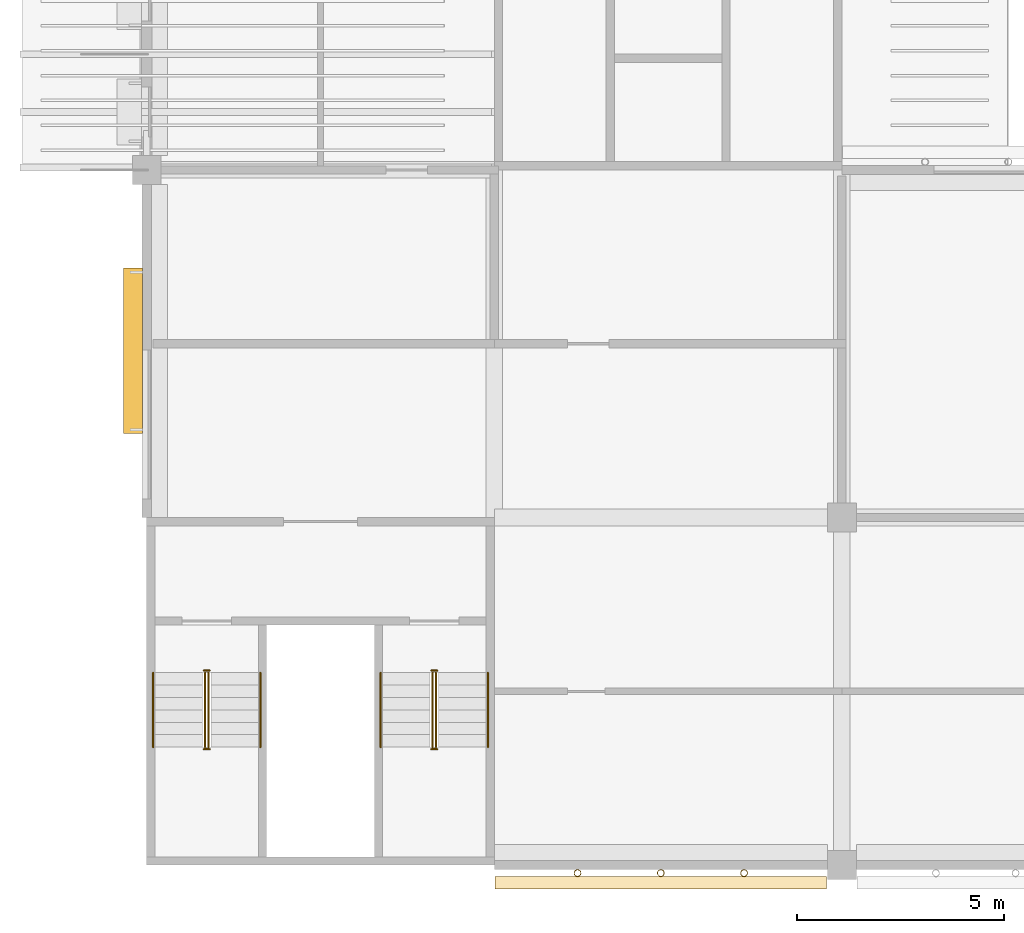
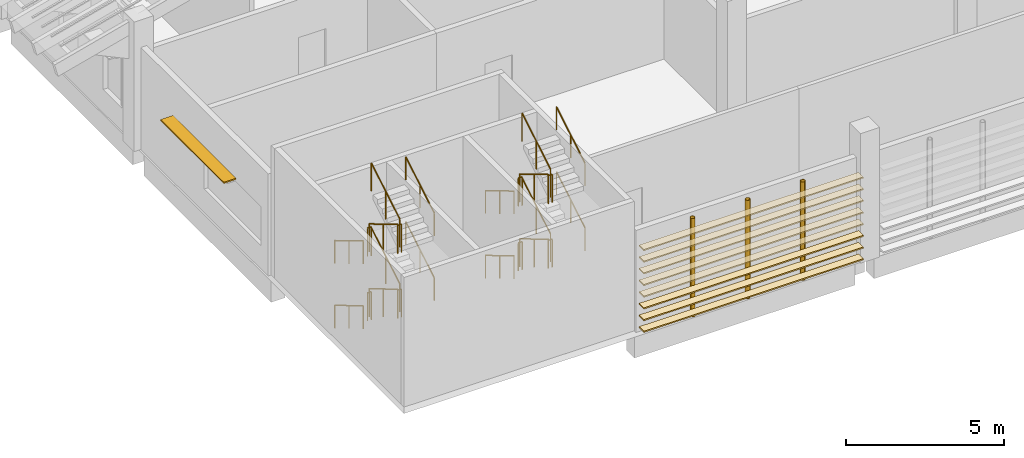
# One storey, part 44 of 82: 24 railings, 8 coverings, 4 shading devices.
"""IFC4 building model written with IfcOpenShell, lengths in metres."""

from ifc_helpers import new_model, si_unit, direction, frame, origin, origin_2d, place, context, subcontext, project, spatial, rectangle, circle, hollow_circle, extrude, material, material_profile, profile_set, type_object, element, save


model = new_model("IFC4")

# Units and contexts
model_context = context("Model", 3, precision=1e-05, world=origin(), true_north=direction((0.0, 1.0)))
body_context = subcontext(model_context, "Body", "Model", "MODEL_VIEW")
ifc_project = project(units=[si_unit("LENGTHUNIT", "METRE"), si_unit("AREAUNIT", "SQUARE_METRE"), si_unit("VOLUMEUNIT", "CUBIC_METRE"), si_unit("PLANEANGLEUNIT", "RADIAN"), si_unit("MASSUNIT", "GRAM", prefix="KILO")], contexts=[model_context])

# Site, building, storey
site_placement = place(None, origin())
site = spatial("IfcSite", under=ifc_project, at=site_placement, CompositionType="ELEMENT")
building_placement = place(site_placement, origin())
building = spatial("IfcBuilding", under=site, at=building_placement, Name="Almond Square Museum", CompositionType="ELEMENT")
storey_placement = place(building_placement, frame((0.0, 0.0, 20.0)))
storey = spatial("IfcBuildingStorey", under=building, at=storey_placement, Name="L03", CompositionType="ELEMENT", Elevation=20.0)

# Shading devices
ifc_material_1 = material(Name="Structural steel S355", Category="steel")
ifc_material_profile_1 = material_profile(ifc_material_1, hollow_circle(Radius=0.084228515625, WallThickness=0.008056640625, at=origin_2d()))
ifc_profile_set_1 = profile_set([ifc_material_profile_1], Name="Structural steel S355")
shading_device_type_1 = type_object("IfcShadingDeviceType", Name="Louvre post CHS 168.3 x 8", PredefinedType="USERDEFINED", material=ifc_profile_set_1)
for number, where, z_axis, x_axis, name in (
    (1, (16.41259765625, -0.194091796875, 0.0), (0.0, 0.0, 1.0), (1.0, 0.0, 0.0), "Louvre screen post"),
    (2, (18.425048828125, -0.194091796875, 0.0), (0.0, 0.0, 1.0), (1.0, 0.0, 0.0), "Louvre screen post"),
    (3, (20.4375, -0.194091796875, 0.0), (0.0, 0.0, 1.0), (1.0, 0.0, 0.0), "Louvre screen post"),
):
    element("IfcShadingDevice", number, at=place(storey_placement, frame(where, z_axis=z_axis, x_axis=x_axis)), inside=storey, type_object=shading_device_type_1, Name=name, ObjectType="POST", PredefinedType="USERDEFINED", context=body_context, shape_type="SweptSolid", body=[
        extrude(hollow_circle(Radius=0.084228515625, WallThickness=0.008056640625, at=origin_2d()), origin(), (0.0, 0.0, 1.0), 3.800048828125),
    ])

# Coverings
ifc_material_2 = material(Name="Cedar timber louvre board", Category="wood")
ifc_material_profile_2 = material_profile(ifc_material_2, rectangle(XDim=0.300048828125, YDim=0.050048828125, at=origin_2d()))
ifc_profile_set_2 = profile_set([ifc_material_profile_2], Name="Cedar timber louvre board")
covering_type = type_object("IfcCoveringType", Name="Louvre screen board 300 x 50", PredefinedType="CLADDING", material=ifc_profile_set_2)
for number, where, z_axis, x_axis, name in (
    (4, (14.419921875, -0.42431640625, 0.300048828125), (1.0, 0.0, 0.0), (0.0, 1.0, 0.0), "Louvre screen board"),
    (5, (14.419921875, -0.42431640625, 0.75), (1.0, 0.0, 0.0), (0.0, 1.0, 0.0), "Louvre screen board"),
    (6, (14.419921875, -0.42431640625, 1.199951171875), (1.0, 0.0, 0.0), (0.0, 1.0, 0.0), "Louvre screen board"),
    (7, (14.419921875, -0.42431640625, 1.64990234375), (1.0, 0.0, 0.0), (0.0, 1.0, 0.0), "Louvre screen board"),
    (8, (14.419921875, -0.42431640625, 2.10009765625), (1.0, 0.0, 0.0), (0.0, 1.0, 0.0), "Louvre screen board"),
    (9, (14.419921875, -0.42431640625, 2.550048828125), (1.0, 0.0, 0.0), (0.0, 1.0, 0.0), "Louvre screen board"),
    (10, (14.419921875, -0.42431640625, 3.0), (1.0, 0.0, 0.0), (0.0, 1.0, 0.0), "Louvre screen board"),
    (11, (14.419921875, -0.42431640625, 3.449951171875), (1.0, 0.0, 0.0), (0.0, 1.0, 0.0), "Louvre screen board"),
):
    element("IfcCovering", number, at=place(storey_placement, frame(where, z_axis=z_axis, x_axis=x_axis)), inside=storey, type_object=covering_type, Name=name, PredefinedType="CLADDING", context=body_context, shape_type="SweptSolid", body=[
        extrude(rectangle(XDim=0.300048828125, YDim=0.050048828125, at=origin_2d()), origin(), (0.0, 0.0, 1.0), 8.010009765625),
    ])

# Railings
ifc_material_3 = material(Name="Stainless steel and laminated glass", Category="steel")
railing_type_1 = type_object("IfcRailingType", Name="Stair guard 1100 steel and glass", PredefinedType="GUARDRAIL", material=ifc_material_3)
railing_1_placement = place(storey_placement, frame((7.409912109375, 4.64990234375, 0.178466796875)))
element("IfcRailing", 12, at=railing_1_placement, inside=storey, type_object=railing_type_1, Name="L03 ST-27 stair guard 1", PredefinedType="GUARDRAIL", context=body_context, shape_type="SweptSolid", body=[
    extrude(circle(Radius=0.02392578125, at=origin_2d()), frame((0.0, 0.0, 1.076171875), z_axis=(0.0, -0.85924653193, 0.511561723907), x_axis=(1.0, 0.0, 0.0)), (0.0, 0.0, 1.0), 2.0947265625),
    extrude(circle(Radius=0.02099609375, at=origin_2d()), origin(), (0.0, 0.0, 1.0), 1.052001953125),
    extrude(circle(Radius=0.02099609375, at=origin_2d()), frame((0.0, -0.89990234375, 0.53564453125)), (0.0, 0.0, 1.0), 1.052001953125),
    extrude(circle(Radius=0.02099609375, at=origin_2d()), frame((0.0, -1.7998046875, 1.071533203125)), (0.0, 0.0, 1.0), 1.052001953125),
])
railing_2_placement = place(storey_placement, frame((7.3798828125, 2.800048828125, 1.25)))
element("IfcRailing", 13, at=railing_2_placement, inside=storey, type_object=railing_type_1, Name="L03 ST-27 stair guard 2", PredefinedType="GUARDRAIL", context=body_context, shape_type="SweptSolid", body=[
    extrude(circle(Radius=0.02392578125, at=origin_2d()), frame((0.0, 0.0, 1.076171875), z_axis=(1.0, 0.0, 0.0), x_axis=(0.0, 1.0, 0.0)), (0.0, 0.0, 1.0), 0.14013671875),
    extrude(circle(Radius=0.02099609375, at=origin_2d()), origin(), (0.0, 0.0, 1.0), 1.052001953125),
    extrude(circle(Radius=0.02099609375, at=origin_2d()), frame((0.14013671875, 0.0, 0.0)), (0.0, 0.0, 1.0), 1.052001953125),
])
railing_3_placement = place(storey_placement, frame((7.489990234375, 2.85009765625, 1.428466796875)))
element("IfcRailing", 14, at=railing_3_placement, inside=storey, type_object=railing_type_1, Name="L03 ST-27 stair guard 3", PredefinedType="GUARDRAIL", context=body_context, shape_type="SweptSolid", body=[
    extrude(circle(Radius=0.02392578125, at=origin_2d()), frame((0.0, 0.0, 1.076171875), z_axis=(0.0, 0.85924653193, 0.511561723907), x_axis=(-1.0, 0.0, 0.0)), (0.0, 0.0, 1.0), 2.0947265625),
    extrude(circle(Radius=0.02099609375, at=origin_2d()), origin(), (0.0, 0.0, 1.0), 1.052001953125),
    extrude(circle(Radius=0.02099609375, at=origin_2d()), frame((0.0, 0.89990234375, 0.53564453125)), (0.0, 0.0, 1.0), 1.052001953125),
    extrude(circle(Radius=0.02099609375, at=origin_2d()), frame((0.0, 1.7998046875, 1.071533203125)), (0.0, 0.0, 1.0), 1.052001953125),
])
railing_4_placement = place(storey_placement, frame((7.3798828125, 4.699951171875, 2.5)))
element("IfcRailing", 15, at=railing_4_placement, inside=storey, type_object=railing_type_1, Name="L03 ST-27 stair guard 4", PredefinedType="GUARDRAIL", context=body_context, shape_type="SweptSolid", body=[
    extrude(circle(Radius=0.02392578125, at=origin_2d()), frame((0.0, 0.0, 1.076171875), z_axis=(1.0, 0.0, 0.0), x_axis=(0.0, 1.0, 0.0)), (0.0, 0.0, 1.0), 0.14013671875),
    extrude(circle(Radius=0.02099609375, at=origin_2d()), origin(), (0.0, 0.0, 1.0), 1.052001953125),
    extrude(circle(Radius=0.02099609375, at=origin_2d()), frame((0.14013671875, 0.0, 0.0)), (0.0, 0.0, 1.0), 1.052001953125),
])
railing_5_placement = place(storey_placement, frame((7.409912109375, 4.64990234375, 2.678466796875)))
element("IfcRailing", 16, at=railing_5_placement, inside=storey, type_object=railing_type_1, Name="L03 ST-27 stair guard 5", PredefinedType="GUARDRAIL", context=body_context, shape_type="SweptSolid", body=[
    extrude(circle(Radius=0.02392578125, at=origin_2d()), frame((0.0, 0.0, 1.076171875), z_axis=(0.0, -0.85924653193, 0.511561723907), x_axis=(1.0, 0.0, 0.0)), (0.0, 0.0, 1.0), 2.0947265625),
    extrude(circle(Radius=0.02099609375, at=origin_2d()), origin(), (0.0, 0.0, 1.0), 1.052001953125),
    extrude(circle(Radius=0.02099609375, at=origin_2d()), frame((0.0, -0.89990234375, 0.53564453125)), (0.0, 0.0, 1.0), 1.052001953125),
    extrude(circle(Radius=0.02099609375, at=origin_2d()), frame((0.0, -1.7998046875, 1.071533203125)), (0.0, 0.0, 1.0), 1.052001953125),
])
railing_6_placement = place(storey_placement, frame((7.3798828125, 2.800048828125, 3.75)))
element("IfcRailing", 17, at=railing_6_placement, inside=storey, type_object=railing_type_1, Name="L03 ST-27 stair guard 6", PredefinedType="GUARDRAIL", context=body_context, shape_type="SweptSolid", body=[
    extrude(circle(Radius=0.02392578125, at=origin_2d()), frame((0.0, 0.0, 1.076171875), z_axis=(1.0, 0.0, 0.0), x_axis=(0.0, 1.0, 0.0)), (0.0, 0.0, 1.0), 0.14013671875),
    extrude(circle(Radius=0.02099609375, at=origin_2d()), origin(), (0.0, 0.0, 1.0), 1.052001953125),
    extrude(circle(Radius=0.02099609375, at=origin_2d()), frame((0.14013671875, 0.0, 0.0)), (0.0, 0.0, 1.0), 1.052001953125),
])
railing_7_placement = place(storey_placement, frame((7.489990234375, 2.85009765625, 3.928466796875)))
element("IfcRailing", 18, at=railing_7_placement, inside=storey, type_object=railing_type_1, Name="L03 ST-27 stair guard 7", PredefinedType="GUARDRAIL", context=body_context, shape_type="SweptSolid", body=[
    extrude(circle(Radius=0.02392578125, at=origin_2d()), frame((0.0, 0.0, 1.076171875), z_axis=(0.0, 0.85924653193, 0.511561723907), x_axis=(-1.0, 0.0, 0.0)), (0.0, 0.0, 1.0), 2.0947265625),
    extrude(circle(Radius=0.02099609375, at=origin_2d()), origin(), (0.0, 0.0, 1.0), 1.052001953125),
    extrude(circle(Radius=0.02099609375, at=origin_2d()), frame((0.0, 0.89990234375, 0.53564453125)), (0.0, 0.0, 1.0), 1.052001953125),
    extrude(circle(Radius=0.02099609375, at=origin_2d()), frame((0.0, 1.7998046875, 1.071533203125)), (0.0, 0.0, 1.0), 1.052001953125),
])
railing_8_placement = place(storey_placement, frame((7.3798828125, 4.699951171875, 0.0)))
element("IfcRailing", 19, at=railing_8_placement, inside=storey, type_object=railing_type_1, Name="L03 ST-27 stair guard 8", PredefinedType="GUARDRAIL", context=body_context, shape_type="SweptSolid", body=[
    extrude(circle(Radius=0.02392578125, at=origin_2d()), frame((0.0, 0.0, 1.076171875), z_axis=(1.0, 0.0, 0.0), x_axis=(0.0, 1.0, 0.0)), (0.0, 0.0, 1.0), 0.14013671875),
    extrude(circle(Radius=0.02099609375, at=origin_2d()), origin(), (0.0, 0.0, 1.0), 1.052001953125),
    extrude(circle(Radius=0.02099609375, at=origin_2d()), frame((0.14013671875, 0.0, 0.0)), (0.0, 0.0, 1.0), 1.052001953125),
])
railing_9_placement = place(storey_placement, frame((12.909912109375, 4.64990234375, 0.178466796875)))
element("IfcRailing", 20, at=railing_9_placement, inside=storey, type_object=railing_type_1, Name="L03 ST-28 stair guard 1", PredefinedType="GUARDRAIL", context=body_context, shape_type="SweptSolid", body=[
    extrude(circle(Radius=0.02392578125, at=origin_2d()), frame((0.0, 0.0, 1.076171875), z_axis=(0.0, -0.85924653193, 0.511561723907), x_axis=(1.0, 0.0, 0.0)), (0.0, 0.0, 1.0), 2.0947265625),
    extrude(circle(Radius=0.02099609375, at=origin_2d()), origin(), (0.0, 0.0, 1.0), 1.052001953125),
    extrude(circle(Radius=0.02099609375, at=origin_2d()), frame((0.0, -0.89990234375, 0.53564453125)), (0.0, 0.0, 1.0), 1.052001953125),
    extrude(circle(Radius=0.02099609375, at=origin_2d()), frame((0.0, -1.7998046875, 1.071533203125)), (0.0, 0.0, 1.0), 1.052001953125),
])
railing_10_placement = place(storey_placement, frame((12.8798828125, 2.800048828125, 1.25)))
element("IfcRailing", 21, at=railing_10_placement, inside=storey, type_object=railing_type_1, Name="L03 ST-28 stair guard 2", PredefinedType="GUARDRAIL", context=body_context, shape_type="SweptSolid", body=[
    extrude(circle(Radius=0.02392578125, at=origin_2d()), frame((0.0, 0.0, 1.076171875), z_axis=(1.0, 0.0, 0.0), x_axis=(0.0, 1.0, 0.0)), (0.0, 0.0, 1.0), 0.14013671875),
    extrude(circle(Radius=0.02099609375, at=origin_2d()), origin(), (0.0, 0.0, 1.0), 1.052001953125),
    extrude(circle(Radius=0.02099609375, at=origin_2d()), frame((0.14013671875, 0.0, 0.0)), (0.0, 0.0, 1.0), 1.052001953125),
])
railing_11_placement = place(storey_placement, frame((12.989990234375, 2.85009765625, 1.428466796875)))
element("IfcRailing", 22, at=railing_11_placement, inside=storey, type_object=railing_type_1, Name="L03 ST-28 stair guard 3", PredefinedType="GUARDRAIL", context=body_context, shape_type="SweptSolid", body=[
    extrude(circle(Radius=0.02392578125, at=origin_2d()), frame((0.0, 0.0, 1.076171875), z_axis=(0.0, 0.85924653193, 0.511561723907), x_axis=(-1.0, 0.0, 0.0)), (0.0, 0.0, 1.0), 2.0947265625),
    extrude(circle(Radius=0.02099609375, at=origin_2d()), origin(), (0.0, 0.0, 1.0), 1.052001953125),
    extrude(circle(Radius=0.02099609375, at=origin_2d()), frame((0.0, 0.89990234375, 0.53564453125)), (0.0, 0.0, 1.0), 1.052001953125),
    extrude(circle(Radius=0.02099609375, at=origin_2d()), frame((0.0, 1.7998046875, 1.071533203125)), (0.0, 0.0, 1.0), 1.052001953125),
])
railing_12_placement = place(storey_placement, frame((12.8798828125, 4.699951171875, 2.5)))
element("IfcRailing", 23, at=railing_12_placement, inside=storey, type_object=railing_type_1, Name="L03 ST-28 stair guard 4", PredefinedType="GUARDRAIL", context=body_context, shape_type="SweptSolid", body=[
    extrude(circle(Radius=0.02392578125, at=origin_2d()), frame((0.0, 0.0, 1.076171875), z_axis=(1.0, 0.0, 0.0), x_axis=(0.0, 1.0, 0.0)), (0.0, 0.0, 1.0), 0.14013671875),
    extrude(circle(Radius=0.02099609375, at=origin_2d()), origin(), (0.0, 0.0, 1.0), 1.052001953125),
    extrude(circle(Radius=0.02099609375, at=origin_2d()), frame((0.14013671875, 0.0, 0.0)), (0.0, 0.0, 1.0), 1.052001953125),
])
railing_13_placement = place(storey_placement, frame((12.909912109375, 4.64990234375, 2.678466796875)))
element("IfcRailing", 24, at=railing_13_placement, inside=storey, type_object=railing_type_1, Name="L03 ST-28 stair guard 5", PredefinedType="GUARDRAIL", context=body_context, shape_type="SweptSolid", body=[
    extrude(circle(Radius=0.02392578125, at=origin_2d()), frame((0.0, 0.0, 1.076171875), z_axis=(0.0, -0.85924653193, 0.511561723907), x_axis=(1.0, 0.0, 0.0)), (0.0, 0.0, 1.0), 2.0947265625),
    extrude(circle(Radius=0.02099609375, at=origin_2d()), origin(), (0.0, 0.0, 1.0), 1.052001953125),
    extrude(circle(Radius=0.02099609375, at=origin_2d()), frame((0.0, -0.89990234375, 0.53564453125)), (0.0, 0.0, 1.0), 1.052001953125),
    extrude(circle(Radius=0.02099609375, at=origin_2d()), frame((0.0, -1.7998046875, 1.071533203125)), (0.0, 0.0, 1.0), 1.052001953125),
])
railing_14_placement = place(storey_placement, frame((12.8798828125, 2.800048828125, 3.75)))
element("IfcRailing", 25, at=railing_14_placement, inside=storey, type_object=railing_type_1, Name="L03 ST-28 stair guard 6", PredefinedType="GUARDRAIL", context=body_context, shape_type="SweptSolid", body=[
    extrude(circle(Radius=0.02392578125, at=origin_2d()), frame((0.0, 0.0, 1.076171875), z_axis=(1.0, 0.0, 0.0), x_axis=(0.0, 1.0, 0.0)), (0.0, 0.0, 1.0), 0.14013671875),
    extrude(circle(Radius=0.02099609375, at=origin_2d()), origin(), (0.0, 0.0, 1.0), 1.052001953125),
    extrude(circle(Radius=0.02099609375, at=origin_2d()), frame((0.14013671875, 0.0, 0.0)), (0.0, 0.0, 1.0), 1.052001953125),
])
railing_15_placement = place(storey_placement, frame((12.989990234375, 2.85009765625, 3.928466796875)))
element("IfcRailing", 26, at=railing_15_placement, inside=storey, type_object=railing_type_1, Name="L03 ST-28 stair guard 7", PredefinedType="GUARDRAIL", context=body_context, shape_type="SweptSolid", body=[
    extrude(circle(Radius=0.02392578125, at=origin_2d()), frame((0.0, 0.0, 1.076171875), z_axis=(0.0, 0.85924653193, 0.511561723907), x_axis=(-1.0, 0.0, 0.0)), (0.0, 0.0, 1.0), 2.0947265625),
    extrude(circle(Radius=0.02099609375, at=origin_2d()), origin(), (0.0, 0.0, 1.0), 1.052001953125),
    extrude(circle(Radius=0.02099609375, at=origin_2d()), frame((0.0, 0.89990234375, 0.53564453125)), (0.0, 0.0, 1.0), 1.052001953125),
    extrude(circle(Radius=0.02099609375, at=origin_2d()), frame((0.0, 1.7998046875, 1.071533203125)), (0.0, 0.0, 1.0), 1.052001953125),
])
railing_16_placement = place(storey_placement, frame((12.8798828125, 4.699951171875, 0.0)))
element("IfcRailing", 27, at=railing_16_placement, inside=storey, type_object=railing_type_1, Name="L03 ST-28 stair guard 8", PredefinedType="GUARDRAIL", context=body_context, shape_type="SweptSolid", body=[
    extrude(circle(Radius=0.02392578125, at=origin_2d()), frame((0.0, 0.0, 1.076171875), z_axis=(1.0, 0.0, 0.0), x_axis=(0.0, 1.0, 0.0)), (0.0, 0.0, 1.0), 0.14013671875),
    extrude(circle(Radius=0.02099609375, at=origin_2d()), origin(), (0.0, 0.0, 1.0), 1.052001953125),
    extrude(circle(Radius=0.02099609375, at=origin_2d()), frame((0.14013671875, 0.0, 0.0)), (0.0, 0.0, 1.0), 1.052001953125),
])
ifc_material_4 = material(Name="Stainless steel", Category="steel")
railing_type_2 = type_object("IfcRailingType", Name="Stair handrail 900 steel", PredefinedType="HANDRAIL", material=ifc_material_4)
railing_17_placement = place(storey_placement, frame((6.155029296875, 4.64990234375, 0.178466796875)))
element("IfcRailing", 28, at=railing_17_placement, inside=storey, type_object=railing_type_2, Name="L03 ST-27 stair handrail 1", PredefinedType="HANDRAIL", context=body_context, shape_type="SweptSolid", body=[
    extrude(circle(Radius=0.02392578125, at=origin_2d()), frame((0.0, 0.0, 0.8759765625), z_axis=(0.0, -0.85924653193, 0.511561723907), x_axis=(1.0, 0.0, 0.0)), (0.0, 0.0, 1.0), 2.0947265625),
    extrude(circle(Radius=0.02099609375, at=origin_2d()), origin(), (0.0, 0.0, 1.0), 0.851806640625),
    extrude(circle(Radius=0.02099609375, at=origin_2d()), frame((0.0, -0.89990234375, 0.53564453125)), (0.0, 0.0, 1.0), 0.851806640625),
    extrude(circle(Radius=0.02099609375, at=origin_2d()), frame((0.0, -1.7998046875, 1.071533203125)), (0.0, 0.0, 1.0), 0.851806640625),
])
railing_18_placement = place(storey_placement, frame((8.7451171875, 2.85009765625, 1.428466796875)))
element("IfcRailing", 29, at=railing_18_placement, inside=storey, type_object=railing_type_2, Name="L03 ST-27 stair handrail 2", PredefinedType="HANDRAIL", context=body_context, shape_type="SweptSolid", body=[
    extrude(circle(Radius=0.02392578125, at=origin_2d()), frame((0.0, 0.0, 0.8759765625), z_axis=(0.0, 0.85924653193, 0.511561723907), x_axis=(-1.0, 0.0, 0.0)), (0.0, 0.0, 1.0), 2.0947265625),
    extrude(circle(Radius=0.02099609375, at=origin_2d()), origin(), (0.0, 0.0, 1.0), 0.851806640625),
    extrude(circle(Radius=0.02099609375, at=origin_2d()), frame((0.0, 0.89990234375, 0.53564453125)), (0.0, 0.0, 1.0), 0.851806640625),
    extrude(circle(Radius=0.02099609375, at=origin_2d()), frame((0.0, 1.7998046875, 1.071533203125)), (0.0, 0.0, 1.0), 0.851806640625),
])
railing_19_placement = place(storey_placement, frame((6.155029296875, 4.64990234375, 2.678466796875)))
element("IfcRailing", 30, at=railing_19_placement, inside=storey, type_object=railing_type_2, Name="L03 ST-27 stair handrail 3", PredefinedType="HANDRAIL", context=body_context, shape_type="SweptSolid", body=[
    extrude(circle(Radius=0.02392578125, at=origin_2d()), frame((0.0, 0.0, 0.8759765625), z_axis=(0.0, -0.85924653193, 0.511561723907), x_axis=(1.0, 0.0, 0.0)), (0.0, 0.0, 1.0), 2.0947265625),
    extrude(circle(Radius=0.02099609375, at=origin_2d()), origin(), (0.0, 0.0, 1.0), 0.851806640625),
    extrude(circle(Radius=0.02099609375, at=origin_2d()), frame((0.0, -0.89990234375, 0.53564453125)), (0.0, 0.0, 1.0), 0.851806640625),
    extrude(circle(Radius=0.02099609375, at=origin_2d()), frame((0.0, -1.7998046875, 1.071533203125)), (0.0, 0.0, 1.0), 0.851806640625),
])
railing_20_placement = place(storey_placement, frame((8.7451171875, 2.85009765625, 3.928466796875)))
element("IfcRailing", 31, at=railing_20_placement, inside=storey, type_object=railing_type_2, Name="L03 ST-27 stair handrail 4", PredefinedType="HANDRAIL", context=body_context, shape_type="SweptSolid", body=[
    extrude(circle(Radius=0.02392578125, at=origin_2d()), frame((0.0, 0.0, 0.8759765625), z_axis=(0.0, 0.85924653193, 0.511561723907), x_axis=(-1.0, 0.0, 0.0)), (0.0, 0.0, 1.0), 2.0947265625),
    extrude(circle(Radius=0.02099609375, at=origin_2d()), origin(), (0.0, 0.0, 1.0), 0.851806640625),
    extrude(circle(Radius=0.02099609375, at=origin_2d()), frame((0.0, 0.89990234375, 0.53564453125)), (0.0, 0.0, 1.0), 0.851806640625),
    extrude(circle(Radius=0.02099609375, at=origin_2d()), frame((0.0, 1.7998046875, 1.071533203125)), (0.0, 0.0, 1.0), 0.851806640625),
])
railing_21_placement = place(storey_placement, frame((11.655029296875, 4.64990234375, 0.178466796875)))
element("IfcRailing", 32, at=railing_21_placement, inside=storey, type_object=railing_type_2, Name="L03 ST-28 stair handrail 1", PredefinedType="HANDRAIL", context=body_context, shape_type="SweptSolid", body=[
    extrude(circle(Radius=0.02392578125, at=origin_2d()), frame((0.0, 0.0, 0.8759765625), z_axis=(0.0, -0.85924653193, 0.511561723907), x_axis=(1.0, 0.0, 0.0)), (0.0, 0.0, 1.0), 2.0947265625),
    extrude(circle(Radius=0.02099609375, at=origin_2d()), origin(), (0.0, 0.0, 1.0), 0.851806640625),
    extrude(circle(Radius=0.02099609375, at=origin_2d()), frame((0.0, -0.89990234375, 0.53564453125)), (0.0, 0.0, 1.0), 0.851806640625),
    extrude(circle(Radius=0.02099609375, at=origin_2d()), frame((0.0, -1.7998046875, 1.071533203125)), (0.0, 0.0, 1.0), 0.851806640625),
])
railing_22_placement = place(storey_placement, frame((14.2451171875, 2.85009765625, 1.428466796875)))
element("IfcRailing", 33, at=railing_22_placement, inside=storey, type_object=railing_type_2, Name="L03 ST-28 stair handrail 2", PredefinedType="HANDRAIL", context=body_context, shape_type="SweptSolid", body=[
    extrude(circle(Radius=0.02392578125, at=origin_2d()), frame((0.0, 0.0, 0.8759765625), z_axis=(0.0, 0.85924653193, 0.511561723907), x_axis=(-1.0, 0.0, 0.0)), (0.0, 0.0, 1.0), 2.0947265625),
    extrude(circle(Radius=0.02099609375, at=origin_2d()), origin(), (0.0, 0.0, 1.0), 0.851806640625),
    extrude(circle(Radius=0.02099609375, at=origin_2d()), frame((0.0, 0.89990234375, 0.53564453125)), (0.0, 0.0, 1.0), 0.851806640625),
    extrude(circle(Radius=0.02099609375, at=origin_2d()), frame((0.0, 1.7998046875, 1.071533203125)), (0.0, 0.0, 1.0), 0.851806640625),
])
railing_23_placement = place(storey_placement, frame((11.655029296875, 4.64990234375, 2.678466796875)))
element("IfcRailing", 34, at=railing_23_placement, inside=storey, type_object=railing_type_2, Name="L03 ST-28 stair handrail 3", PredefinedType="HANDRAIL", context=body_context, shape_type="SweptSolid", body=[
    extrude(circle(Radius=0.02392578125, at=origin_2d()), frame((0.0, 0.0, 0.8759765625), z_axis=(0.0, -0.85924653193, 0.511561723907), x_axis=(1.0, 0.0, 0.0)), (0.0, 0.0, 1.0), 2.0947265625),
    extrude(circle(Radius=0.02099609375, at=origin_2d()), origin(), (0.0, 0.0, 1.0), 0.851806640625),
    extrude(circle(Radius=0.02099609375, at=origin_2d()), frame((0.0, -0.89990234375, 0.53564453125)), (0.0, 0.0, 1.0), 0.851806640625),
    extrude(circle(Radius=0.02099609375, at=origin_2d()), frame((0.0, -1.7998046875, 1.071533203125)), (0.0, 0.0, 1.0), 0.851806640625),
])
railing_24_placement = place(storey_placement, frame((14.2451171875, 2.85009765625, 3.928466796875)))
element("IfcRailing", 35, at=railing_24_placement, inside=storey, type_object=railing_type_2, Name="L03 ST-28 stair handrail 4", PredefinedType="HANDRAIL", context=body_context, shape_type="SweptSolid", body=[
    extrude(circle(Radius=0.02392578125, at=origin_2d()), frame((0.0, 0.0, 0.8759765625), z_axis=(0.0, 0.85924653193, 0.511561723907), x_axis=(-1.0, 0.0, 0.0)), (0.0, 0.0, 1.0), 2.0947265625),
    extrude(circle(Radius=0.02099609375, at=origin_2d()), origin(), (0.0, 0.0, 1.0), 0.851806640625),
    extrude(circle(Radius=0.02099609375, at=origin_2d()), frame((0.0, 0.89990234375, 0.53564453125)), (0.0, 0.0, 1.0), 0.851806640625),
    extrude(circle(Radius=0.02099609375, at=origin_2d()), frame((0.0, 1.7998046875, 1.071533203125)), (0.0, 0.0, 1.0), 0.851806640625),
])

# Shading device
ifc_material_5 = material(Name="Anodised aluminium", Category="aluminium")
ifc_material_profile_3 = material_profile(ifc_material_5, rectangle(XDim=0.449951171875, YDim=0.050048828125, at=origin_2d()))
ifc_profile_set_3 = profile_set([ifc_material_profile_3], Name="Anodised aluminium")
shading_device_type_2 = type_object("IfcShadingDeviceType", Name="Sun-shade blade 450 x 50", PredefinedType="USERDEFINED", material=ifc_profile_set_3)
shading_device_placement = place(storey_placement, frame((5.6669921875, 10.425048828125, 2.52001953125), z_axis=(0.0, 1.0, 0.0), x_axis=(-1.0, 0.0, 0.0)))
element("IfcShadingDevice", 36, at=shading_device_placement, inside=storey, type_object=shading_device_type_2, Name="Sun-shade blade", ObjectType="LOUVRE", PredefinedType="USERDEFINED", context=body_context, shape_type="SweptSolid", body=[
    extrude(rectangle(XDim=0.449951171875, YDim=0.050048828125, at=origin_2d()), origin(), (0.0, 0.0, 1.0), 4.0),
])

save(model, "model.ifc")
